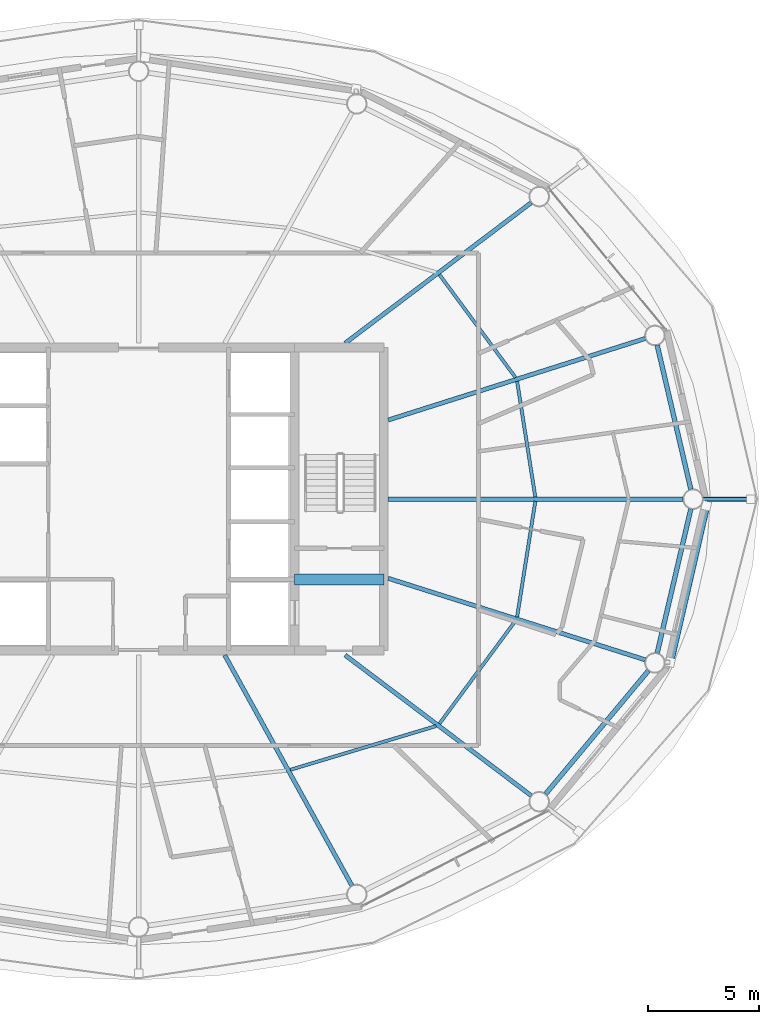
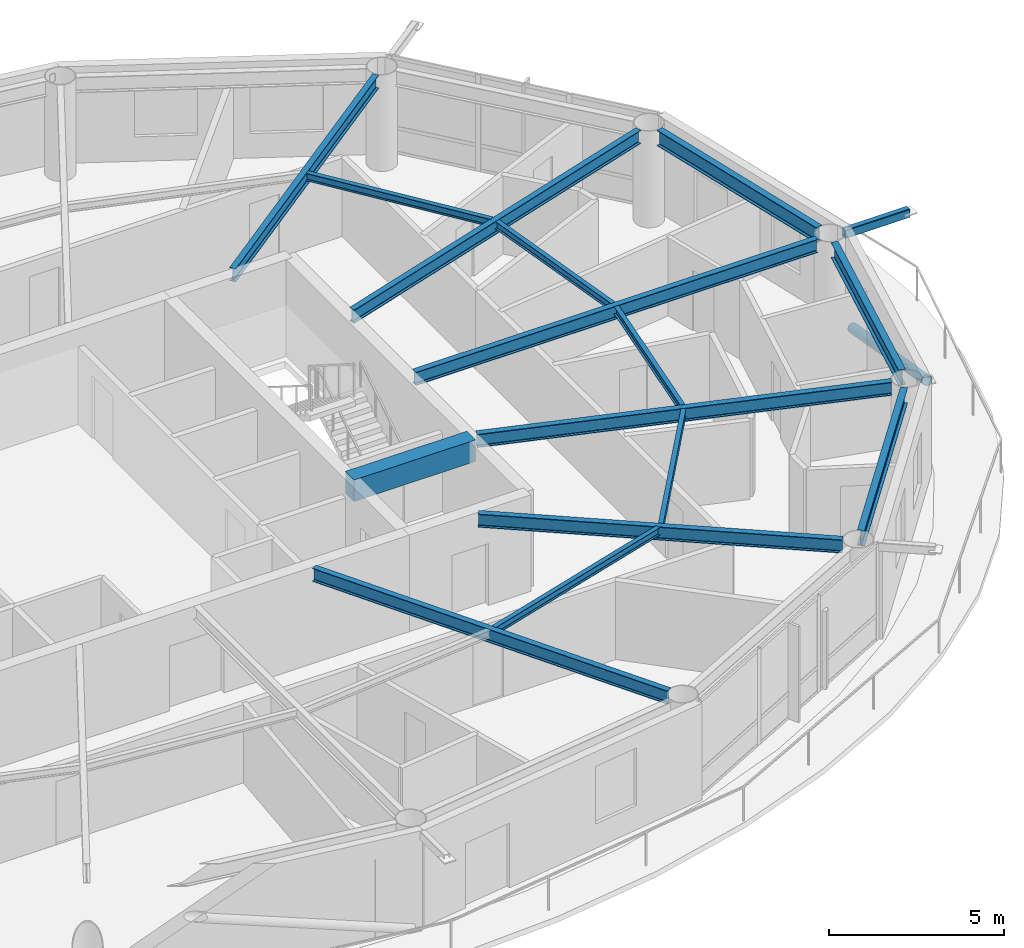
# One storey, part 6 of 22: 15 beams, 2 members.
"""IFC4 building model written with IfcOpenShell, lengths in metres."""

from ifc_helpers import new_model, si_unit, direction, frame, origin, origin_2d, place, context, subcontext, project, spatial, rectangle, hollow_rectangle, hollow_circle, i_section, extrude, material, material_profile, profile_set, type_object, element, save


model = new_model("IFC4")

# Units and contexts
model_context = context("Model", 3, precision=1e-05, world=origin(), true_north=direction((0.0, 1.0)))
body_context = subcontext(model_context, "Body", "Model", "MODEL_VIEW")
ifc_project = project(units=[si_unit("LENGTHUNIT", "METRE"), si_unit("AREAUNIT", "SQUARE_METRE"), si_unit("VOLUMEUNIT", "CUBIC_METRE"), si_unit("PLANEANGLEUNIT", "RADIAN"), si_unit("MASSUNIT", "GRAM", prefix="KILO")], contexts=[model_context])

# Site, building, storey
site_placement = place(None, origin())
site = spatial("IfcSite", under=ifc_project, at=site_placement, CompositionType="ELEMENT")
building_placement = place(site_placement, origin())
building = spatial("IfcBuilding", under=site, at=building_placement, Name="Sarneth Arch Tower", CompositionType="ELEMENT")
storey_placement = place(building_placement, frame((0.0, 0.0, 210.0)))
storey = spatial("IfcBuildingStorey", under=building, at=storey_placement, Name="L53", CompositionType="ELEMENT", Elevation=210.0)

# Beams
ifc_material_1 = material(Name="Steel S355", Category="steel")
ifc_material_profile_1 = material_profile(ifc_material_1, i_section(OverallWidth=0.14794921875, OverallDepth=0.26611328125, WebThickness=0.007568359375, FlangeThickness=0.012939453125, FilletRadius=0.012939453125, at=origin_2d()), Name="W250x44.8")
ifc_profile_set_1 = profile_set([ifc_material_profile_1], Name="Steel S355")
beam_type_1 = type_object("IfcBeamType", Name="BM-JOIST-250", PredefinedType="JOIST", material=ifc_profile_set_1)
beam_1_placement = place(storey_placement, frame((65.8017578125, 42.0947265625, 3.22705078125), z_axis=(-0.155421095795, 0.987848309702, 0.0), x_axis=(-0.987848309702, -0.155421095795, 0.0)))
element("IfcBeam", 1, at=beam_1_placement, inside=storey, type_object=beam_type_1, Name="L53 Secondary floor joist 01", PredefinedType="JOIST", context=body_context, shape_type="SweptSolid", body=[
    extrude(i_section(OverallWidth=0.14794921875, OverallDepth=0.26611328125, WebThickness=0.007568359375, FlangeThickness=0.012939453125, FilletRadius=0.012939453125, at=origin_2d()), origin(), (0.0, 0.0, 1.0), 5.256103515625),
])
beam_2_placement = place(storey_placement, frame((64.912841796875, 47.458740234375, 3.22705078125), z_axis=(-0.594557229879, 0.804053294501, 0.0), x_axis=(-0.804053294501, -0.594557229879, 0.0)))
element("IfcBeam", 2, at=beam_2_placement, inside=storey, type_object=beam_type_1, Name="L53 Secondary floor joist 02", PredefinedType="JOIST", context=body_context, shape_type="SweptSolid", body=[
    extrude(i_section(OverallWidth=0.14794921875, OverallDepth=0.26611328125, WebThickness=0.007568359375, FlangeThickness=0.012939453125, FilletRadius=0.012939453125, at=origin_2d()), origin(), (0.0, 0.0, 1.0), 5.74169921875),
])
beam_3_placement = place(storey_placement, frame((54.810546875, 29.85546875, 3.22705078125), z_axis=(0.957725851155, 0.287682453461, 0.0), x_axis=(-0.287682453461, 0.957725851155, 0.0)))
element("IfcBeam", 3, at=beam_3_placement, inside=storey, type_object=beam_type_1, Name="L53 Secondary floor joist 14", PredefinedType="JOIST", context=body_context, shape_type="SweptSolid", body=[
    extrude(i_section(OverallWidth=0.14794921875, OverallDepth=0.26611328125, WebThickness=0.007568359375, FlangeThickness=0.012939453125, FilletRadius=0.012939453125, at=origin_2d()), origin(), (0.0, 0.0, 1.0), 6.828125),
])
beam_4_placement = place(storey_placement, frame((61.4990234375, 31.924560546875, 3.22705078125), z_axis=(0.594557229879, 0.804053294501, 0.0), x_axis=(-0.804053294501, 0.594557229879, 0.0)))
element("IfcBeam", 4, at=beam_4_placement, inside=storey, type_object=beam_type_1, Name="L53 Secondary floor joist 15", PredefinedType="JOIST", context=body_context, shape_type="SweptSolid", body=[
    extrude(i_section(OverallWidth=0.14794921875, OverallDepth=0.26611328125, WebThickness=0.007568359375, FlangeThickness=0.012939453125, FilletRadius=0.012939453125, at=origin_2d()), origin(), (0.0, 0.0, 1.0), 5.74169921875),
])
beam_5_placement = place(storey_placement, frame((64.98486328125, 36.713134765625, 3.22705078125), z_axis=(0.155421095795, 0.987848309702, 0.0), x_axis=(-0.987848309702, 0.155421095795, 0.0)))
element("IfcBeam", 5, at=beam_5_placement, inside=storey, type_object=beam_type_1, Name="L53 Secondary floor joist 16", PredefinedType="JOIST", context=body_context, shape_type="SweptSolid", body=[
    extrude(i_section(OverallWidth=0.14794921875, OverallDepth=0.26611328125, WebThickness=0.007568359375, FlangeThickness=0.012939453125, FilletRadius=0.012939453125, at=origin_2d()), origin(), (0.0, 0.0, 1.0), 5.256103515625),
])
ifc_material_2 = material(Name="Concrete C50/60", Category="concrete")
ifc_material_profile_2 = material_profile(ifc_material_2, rectangle(XDim=0.5, YDim=0.75, at=origin_2d()), Name="RC-500x750")
ifc_profile_set_2 = profile_set([ifc_material_profile_2], Name="Concrete C50/60")
beam_type_2 = type_object("IfcBeamType", Name="BM-LINTEL-RC", PredefinedType="LINTEL", material=ifc_profile_set_2)
beam_6_placement = place(storey_placement, frame((55.0, 38.39990234375, 2.985107421875), z_axis=(1.0, 0.0, 0.0), x_axis=(0.0, 1.0, 0.0)))
element("IfcBeam", 6, at=beam_6_placement, inside=storey, type_object=beam_type_2, Name="L53 Core coupling lintel E", PredefinedType="LINTEL", context=body_context, shape_type="SweptSolid", body=[
    extrude(rectangle(XDim=0.5, YDim=0.75, at=origin_2d()), origin(), (0.0, 0.0, 1.0), 4.0),
])
ifc_material_3 = material(Name="Steel S355", Category="steel")
ifc_material_profile_3 = material_profile(ifc_material_3, i_section(OverallWidth=0.19189453125, OverallDepth=0.462890625, WebThickness=0.010498046875, FlangeThickness=0.017578125, FilletRadius=0.01806640625, at=origin_2d()), Name="W460x89")
ifc_profile_set_3 = profile_set([ifc_material_profile_3], Name="Steel S355")
beam_type_3 = type_object("IfcBeamType", Name="BM-RAD-460B", PredefinedType="BEAM", material=ifc_profile_set_3)
beam_7_placement = place(storey_placement, frame((59.199951171875, 42.0, 3.12841796875), z_axis=(1.0, 0.0, 0.0), x_axis=(0.0, 1.0, 0.0)))
element("IfcBeam", 7, at=beam_7_placement, inside=storey, type_object=beam_type_3, Name="L53 Radial floor girder 01", PredefinedType="BEAM", context=body_context, shape_type="SweptSolid", body=[
    extrude(i_section(OverallWidth=0.19189453125, OverallDepth=0.462890625, WebThickness=0.010498046875, FlangeThickness=0.017578125, FilletRadius=0.01806640625, at=origin_2d()), origin(), (0.0, 0.0, 1.0), 13.233154296875),
])
beam_8_placement = place(storey_placement, frame((59.199951171875, 45.5517578125, 3.12841796875), z_axis=(0.953215615433, 0.302291234563, 0.0), x_axis=(-0.302291234563, 0.953215615433, 0.0)))
element("IfcBeam", 8, at=beam_8_placement, inside=storey, type_object=beam_type_3, Name="L53 Radial floor girder 02", PredefinedType="BEAM", context=body_context, shape_type="SweptSolid", body=[
    extrude(i_section(OverallWidth=0.19189453125, OverallDepth=0.462890625, WebThickness=0.010498046875, FlangeThickness=0.017578125, FilletRadius=0.01806640625, at=origin_2d()), origin(), (0.0, 0.0, 1.0), 12.1064453125),
])
beam_9_placement = place(storey_placement, frame((57.26806640625, 49.0, 3.12841796875), z_axis=(0.79797356997, 0.602692443647, 0.0), x_axis=(-0.602692443647, 0.79797356997, 0.0)))
element("IfcBeam", 9, at=beam_9_placement, inside=storey, type_object=beam_type_3, Name="L53 Radial floor girder 03", PredefinedType="BEAM", context=body_context, shape_type="SweptSolid", body=[
    extrude(i_section(OverallWidth=0.19189453125, OverallDepth=0.462890625, WebThickness=0.010498046875, FlangeThickness=0.017578125, FilletRadius=0.01806640625, at=origin_2d()), origin(), (0.0, 0.0, 1.0), 10.461669921875),
])
beam_10_placement = place(storey_placement, frame((51.86376953125, 35.0, 3.12841796875), z_axis=(0.483218265038, -0.875499919094, 0.0), x_axis=(0.875499919094, 0.483218265038, 0.0)))
element("IfcBeam", 10, at=beam_10_placement, inside=storey, type_object=beam_type_3, Name="L53 Radial floor girder 14", PredefinedType="BEAM", context=body_context, shape_type="SweptSolid", body=[
    extrude(i_section(OverallWidth=0.19189453125, OverallDepth=0.462890625, WebThickness=0.010498046875, FlangeThickness=0.017578125, FilletRadius=0.01806640625, at=origin_2d()), origin(), (0.0, 0.0, 1.0), 11.8154296875),
])
beam_11_placement = place(storey_placement, frame((57.26806640625, 35.0, 3.12841796875), z_axis=(0.79797356997, -0.602692443647, 0.0), x_axis=(0.602692443647, 0.79797356997, 0.0)))
element("IfcBeam", 11, at=beam_11_placement, inside=storey, type_object=beam_type_3, Name="L53 Radial floor girder 15", PredefinedType="BEAM", context=body_context, shape_type="SweptSolid", body=[
    extrude(i_section(OverallWidth=0.19189453125, OverallDepth=0.462890625, WebThickness=0.010498046875, FlangeThickness=0.017578125, FilletRadius=0.01806640625, at=origin_2d()), origin(), (0.0, 0.0, 1.0), 10.461669921875),
])
beam_12_placement = place(storey_placement, frame((59.199951171875, 38.4482421875, 3.12841796875), z_axis=(0.953215615433, -0.302291234563, 0.0), x_axis=(0.302291234563, 0.953215615433, 0.0)))
element("IfcBeam", 12, at=beam_12_placement, inside=storey, type_object=beam_type_3, Name="L53 Radial floor girder 16", PredefinedType="BEAM", context=body_context, shape_type="SweptSolid", body=[
    extrude(i_section(OverallWidth=0.19189453125, OverallDepth=0.462890625, WebThickness=0.010498046875, FlangeThickness=0.017578125, FilletRadius=0.01806640625, at=origin_2d()), origin(), (0.0, 0.0, 1.0), 12.1064453125),
])
ifc_material_4 = material(Name="Steel S355", Category="steel")
ifc_material_profile_4 = material_profile(ifc_material_4, i_section(OverallWidth=0.2109375, OverallDepth=0.5390625, WebThickness=0.01171875, FlangeThickness=0.018798828125, FilletRadius=0.01806640625, at=origin_2d()), Name="W530x109")
ifc_profile_set_4 = profile_set([ifc_material_profile_4], Name="Steel S355")
beam_type_4 = type_object("IfcBeamType", Name="BM-RAD-530B", PredefinedType="BEAM", material=ifc_profile_set_4)
beam_13_placement = place(storey_placement, frame((72.781005859375, 42.438232421875, 3.090576171875), z_axis=(-0.227247037844, 0.973837144389, 0.0), x_axis=(-0.973837144389, -0.227247037844, 0.0)))
element("IfcBeam", 13, at=beam_13_placement, inside=storey, type_object=beam_type_4, Name="L53 Perimeter spandrel beam 01", PredefinedType="BEAM", context=body_context, shape_type="SweptSolid", body=[
    extrude(i_section(OverallWidth=0.2109375, OverallDepth=0.5390625, WebThickness=0.01171875, FlangeThickness=0.018798828125, FilletRadius=0.01806640625, at=origin_2d()), origin(), (0.0, 0.0, 1.0), 6.644775390625),
])
beam_14_placement = place(storey_placement, frame((66.263427734375, 28.769287109375, 3.090576171875), z_axis=(0.640390876881, 0.768049168222, 0.0), x_axis=(-0.768049168222, 0.640390876881, 0.0)))
element("IfcBeam", 14, at=beam_14_placement, inside=storey, type_object=beam_type_4, Name="L53 Perimeter spandrel beam 15", PredefinedType="BEAM", context=body_context, shape_type="SweptSolid", body=[
    extrude(i_section(OverallWidth=0.2109375, OverallDepth=0.5390625, WebThickness=0.01171875, FlangeThickness=0.018798828125, FilletRadius=0.01806640625, at=origin_2d()), origin(), (0.0, 0.0, 1.0), 7.2099609375),
])
beam_15_placement = place(storey_placement, frame((71.27099609375, 35.0908203125, 3.090576171875), z_axis=(0.227247037844, 0.973837144389, 0.0), x_axis=(-0.973837144389, 0.227247037844, 0.0)))
element("IfcBeam", 15, at=beam_15_placement, inside=storey, type_object=beam_type_4, Name="L53 Perimeter spandrel beam 16", PredefinedType="BEAM", context=body_context, shape_type="SweptSolid", body=[
    extrude(i_section(OverallWidth=0.2109375, OverallDepth=0.5390625, WebThickness=0.01171875, FlangeThickness=0.018798828125, FilletRadius=0.01806640625, at=origin_2d()), origin(), (0.0, 0.0, 1.0), 6.644775390625),
])

# Members
ifc_material_5 = material(Name="Steel S355", Category="steel")
ifc_material_profile_5 = material_profile(ifc_material_5, hollow_rectangle(XDim=0.199951171875, YDim=0.300048828125, WallThickness=0.012451171875, InnerFilletRadius=0.018798828125, OuterFilletRadius=0.03125, at=origin_2d()), Name="RHS300x200x12.5")
ifc_profile_set_5 = profile_set([ifc_material_profile_5], Name="Steel S355")
member_type_1 = type_object("IfcMemberType", Name="MEM-CANT-STRUT", PredefinedType="STRUT", material=ifc_profile_set_5)
member_1_placement = place(storey_placement, frame((73.333251953125, 42.0, 3.199951171875), z_axis=(1.0, 0.0, 0.0), x_axis=(0.0, 1.0, 0.0)))
element("IfcMember", 16, at=member_1_placement, inside=storey, type_object=member_type_1, Name="L53 Balcony cantilever bracket 01", PredefinedType="STRUT", context=body_context, shape_type="SweptSolid", body=[
    extrude(hollow_rectangle(XDim=0.199951171875, YDim=0.300048828125, WallThickness=0.012451171875, InnerFilletRadius=0.018798828125, OuterFilletRadius=0.03125, at=origin_2d()), origin(), (0.0, 0.0, 1.0), 2.1298828125),
])
ifc_material_6 = material(Name="Steel S355", Category="steel")
ifc_material_profile_6 = material_profile(ifc_material_6, hollow_circle(Radius=0.162109375, WallThickness=0.012451171875, at=origin_2d()), Name="CHS324x12.5")
ifc_profile_set_6 = profile_set([ifc_material_profile_6], Name="Steel S355")
member_type_2 = type_object("IfcMemberType", Name="MEM-DIAG-BR3", PredefinedType="BRACE", material=ifc_profile_set_6)
member_2_placement = place(storey_placement, frame((73.4765625, 41.707763671875, 0.02001953125), z_axis=(-0.207917989892, -0.898749333617, 0.386030756289), x_axis=(0.974268900284, -0.225388797281, 0.0)))
element("IfcMember", 17, at=member_2_placement, inside=storey, type_object=member_type_2, Name="L53 Perimeter frame diagonal 16", PredefinedType="BRACE", context=body_context, shape_type="SweptSolid", body=[
    extrude(hollow_circle(Radius=0.162109375, WallThickness=0.012451171875, at=origin_2d()), origin(), (0.0, 0.0, 1.0), 7.814453125),
])

save(model, "model.ifc")
